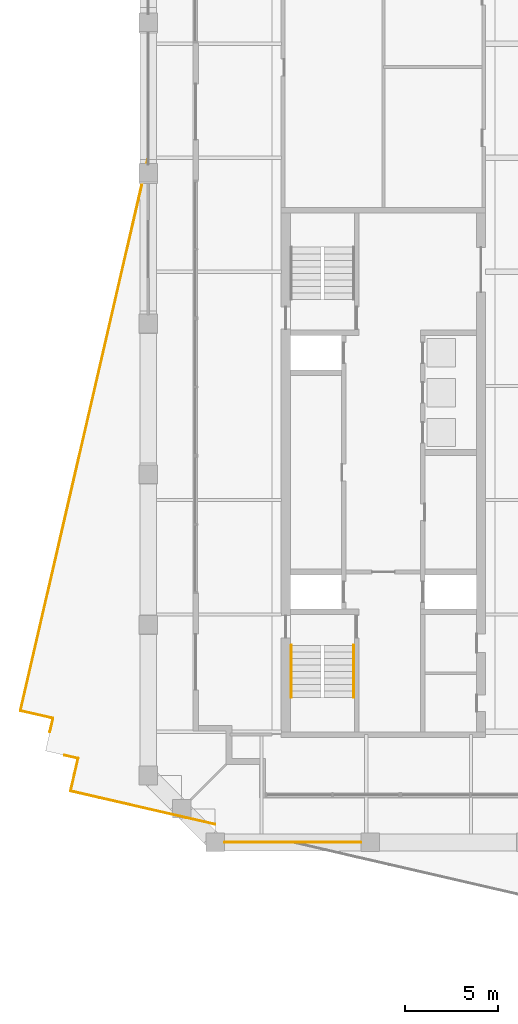
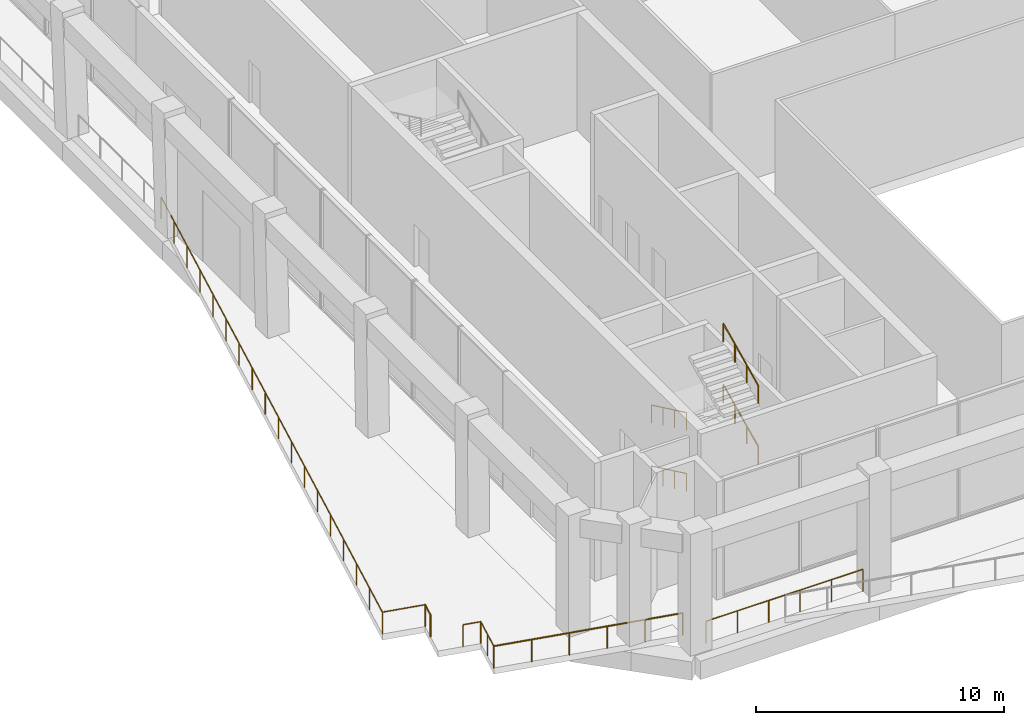
# One storey, part 16 of 20: 11 railings.
"""IFC4 building model written with IfcOpenShell, lengths in metres."""

from ifc_helpers import new_model, si_unit, direction, frame, origin, origin_2d, place, context, subcontext, project, spatial, circle, extrude, material, type_object, element, save


model = new_model("IFC4")

# Units and contexts
model_context = context("Model", 3, precision=1e-05, world=origin(), true_north=direction((0.0, 1.0)))
body_context = subcontext(model_context, "Body", "Model", "MODEL_VIEW")
ifc_project = project(units=[si_unit("LENGTHUNIT", "METRE"), si_unit("AREAUNIT", "SQUARE_METRE"), si_unit("VOLUMEUNIT", "CUBIC_METRE"), si_unit("PLANEANGLEUNIT", "RADIAN"), si_unit("MASSUNIT", "GRAM", prefix="KILO")], contexts=[model_context])

# Site, building, storey
site_placement = place(None, origin())
site = spatial("IfcSite", under=ifc_project, at=site_placement, CompositionType="ELEMENT")
building_placement = place(site_placement, origin())
building = spatial("IfcBuilding", under=site, at=building_placement, Name="Ogive Exchange Tower", CompositionType="ELEMENT")
storey_placement = place(building_placement, frame((0.0, 0.0, 303.0)))
storey = spatial("IfcBuildingStorey", under=building, at=storey_placement, Name="L66", CompositionType="ELEMENT", Elevation=303.0)

# Railings
ifc_material_1 = material(Name="Stainless steel 316", Category="steel")
railing_type_1 = type_object("IfcRailingType", Name="Balustrade 1100 glass and stainless steel", PredefinedType="BALUSTRADE", material=ifc_material_1)
railing_1_placement = place(storey_placement, frame((-32.820556640625, -5.635498046875, 0.0)))
element("IfcRailing", 1, at=railing_1_placement, inside=storey, type_object=railing_type_1, Name="Terrace balustrade 13", PredefinedType="BALUSTRADE", context=body_context, shape_type="SweptSolid", body=[
    extrude(circle(Radius=0.02392578125, at=origin_2d()), frame((0.0, 0.0, 1.076171875), z_axis=(0.225008086135, 0.974356896201, 0.0), x_axis=(-0.974356896201, 0.225008086135, 0.0)), (0.0, 0.0, 1.0), 1.800048828125),
    extrude(circle(Radius=0.02099609375, at=origin_2d()), origin(), (0.0, 0.0, 1.0), 1.052001953125),
    extrude(circle(Radius=0.02099609375, at=origin_2d()), frame((0.20263671875, 0.876953125, 0.0)), (0.0, 0.0, 1.0), 1.052001953125),
    extrude(circle(Radius=0.02099609375, at=origin_2d()), frame((0.405029296875, 1.75390625, 0.0)), (0.0, 0.0, 1.0), 1.052001953125),
])
railing_2_placement = place(storey_placement, frame((-32.41552734375, -3.881591796875, 0.0)))
element("IfcRailing", 2, at=railing_2_placement, inside=storey, type_object=railing_type_1, Name="Terrace balustrade 14", PredefinedType="BALUSTRADE", context=body_context, shape_type="SweptSolid", body=[
    extrude(circle(Radius=0.02392578125, at=origin_2d()), frame((0.0, 0.0, 1.076171875), z_axis=(-0.974424118823, 0.224716792108, 0.0), x_axis=(-0.224716792108, -0.974424118823, 0.0)), (0.0, 0.0, 1.0), 0.749755859375),
    extrude(circle(Radius=0.02099609375, at=origin_2d()), origin(), (0.0, 0.0, 1.0), 1.052001953125),
    extrude(circle(Radius=0.02099609375, at=origin_2d()), frame((-0.73046875, 0.16845703125, 0.0)), (0.0, 0.0, 1.0), 1.052001953125),
])
railing_3_placement = place(storey_placement, frame((-33.933349609375, -2.453857421875, 0.0)))
element("IfcRailing", 3, at=railing_3_placement, inside=storey, type_object=railing_type_1, Name="Terrace balustrade 15", PredefinedType="BALUSTRADE", context=body_context, shape_type="SweptSolid", body=[
    extrude(circle(Radius=0.02392578125, at=origin_2d()), frame((0.0, 0.0, 1.076171875), z_axis=(0.224883275169, 0.974385710358, 0.0), x_axis=(-0.974385710358, 0.224883275169, 0.0)), (0.0, 0.0, 1.0), 0.750244140625),
    extrude(circle(Radius=0.02099609375, at=origin_2d()), origin(), (0.0, 0.0, 1.0), 1.052001953125),
    extrude(circle(Radius=0.02099609375, at=origin_2d()), frame((0.168701171875, 0.73095703125, 0.0)), (0.0, 0.0, 1.0), 1.052001953125),
])
railing_4_placement = place(storey_placement, frame((-33.7646484375, -1.722900390625, 0.0)))
element("IfcRailing", 4, at=railing_4_placement, inside=storey, type_object=railing_type_1, Name="Terrace balustrade 16", PredefinedType="BALUSTRADE", context=body_context, shape_type="SweptSolid", body=[
    extrude(circle(Radius=0.02392578125, at=origin_2d()), frame((0.0, 0.0, 1.076171875), z_axis=(-0.974379763188, 0.224909041816, 0.0), x_axis=(-0.224909041816, -0.974379763188, 0.0)), (0.0, 0.0, 1.0), 1.7998046875),
    extrude(circle(Radius=0.02099609375, at=origin_2d()), origin(), (0.0, 0.0, 1.0), 1.052001953125),
    extrude(circle(Radius=0.02099609375, at=origin_2d()), frame((-1.753662109375, 0.40478515625, 0.0)), (0.0, 0.0, 1.0), 1.052001953125),
])
railing_5_placement = place(storey_placement, frame((-35.518310546875, -1.318115234375, 0.0)))
element("IfcRailing", 5, at=railing_5_placement, inside=storey, type_object=railing_type_1, Name="Terrace balustrade 17", PredefinedType="BALUSTRADE", context=body_context, shape_type="SweptSolid", body=[
    extrude(circle(Radius=0.02392578125, at=origin_2d()), frame((0.0, 0.0, 1.076171875), z_axis=(0.224950021663, 0.974370303198, 0.0), x_axis=(-0.974370303198, 0.224950021663, 0.0)), (0.0, 0.0, 1.0), 30.532958984375),
    extrude(circle(Radius=0.02099609375, at=origin_2d()), origin(), (0.0, 0.0, 1.0), 1.052001953125),
    extrude(circle(Radius=0.02099609375, at=origin_2d()), frame((0.404052734375, 1.75, 0.0)), (0.0, 0.0, 1.0), 1.052001953125),
    extrude(circle(Radius=0.02099609375, at=origin_2d()), frame((0.80810546875, 3.5, 0.0)), (0.0, 0.0, 1.0), 1.052001953125),
    extrude(circle(Radius=0.02099609375, at=origin_2d()), frame((1.212158203125, 5.25, 0.0)), (0.0, 0.0, 1.0), 1.052001953125),
    extrude(circle(Radius=0.02099609375, at=origin_2d()), frame((1.6162109375, 7.0, 0.0)), (0.0, 0.0, 1.0), 1.052001953125),
    extrude(circle(Radius=0.02099609375, at=origin_2d()), frame((2.02001953125, 8.750244140625, 0.0)), (0.0, 0.0, 1.0), 1.052001953125),
    extrude(circle(Radius=0.02099609375, at=origin_2d()), frame((2.424072265625, 10.500244140625, 0.0)), (0.0, 0.0, 1.0), 1.052001953125),
    extrude(circle(Radius=0.02099609375, at=origin_2d()), frame((2.828125, 12.250244140625, 0.0)), (0.0, 0.0, 1.0), 1.052001953125),
    extrude(circle(Radius=0.02099609375, at=origin_2d()), frame((3.232177734375, 14.000244140625, 0.0)), (0.0, 0.0, 1.0), 1.052001953125),
    extrude(circle(Radius=0.02099609375, at=origin_2d()), frame((3.63623046875, 15.750244140625, 0.0)), (0.0, 0.0, 1.0), 1.052001953125),
    extrude(circle(Radius=0.02099609375, at=origin_2d()), frame((4.040283203125, 17.500244140625, 0.0)), (0.0, 0.0, 1.0), 1.052001953125),
    extrude(circle(Radius=0.02099609375, at=origin_2d()), frame((4.4443359375, 19.250244140625, 0.0)), (0.0, 0.0, 1.0), 1.052001953125),
    extrude(circle(Radius=0.02099609375, at=origin_2d()), frame((4.848388671875, 21.000244140625, 0.0)), (0.0, 0.0, 1.0), 1.052001953125),
    extrude(circle(Radius=0.02099609375, at=origin_2d()), frame((5.252197265625, 22.75048828125, 0.0)), (0.0, 0.0, 1.0), 1.052001953125),
    extrude(circle(Radius=0.02099609375, at=origin_2d()), frame((5.65625, 24.50048828125, 0.0)), (0.0, 0.0, 1.0), 1.052001953125),
    extrude(circle(Radius=0.02099609375, at=origin_2d()), frame((6.060302734375, 26.25048828125, 0.0)), (0.0, 0.0, 1.0), 1.052001953125),
    extrude(circle(Radius=0.02099609375, at=origin_2d()), frame((6.46435546875, 28.00048828125, 0.0)), (0.0, 0.0, 1.0), 1.052001953125),
    extrude(circle(Radius=0.02099609375, at=origin_2d()), frame((6.868408203125, 29.75048828125, 0.0)), (0.0, 0.0, 1.0), 1.052001953125),
])
railing_6_placement = place(storey_placement, frame((-25.050048828125, -7.429443359375, 0.0)))
element("IfcRailing", 6, at=railing_6_placement, inside=storey, type_object=railing_type_1, Name="Terrace balustrade 18", PredefinedType="BALUSTRADE", context=body_context, shape_type="SweptSolid", body=[
    extrude(circle(Radius=0.02392578125, at=origin_2d()), frame((0.0, 0.0, 1.076171875), z_axis=(-0.974370553189, 0.224948938822, 0.0), x_axis=(-0.224948938822, -0.974370553189, 0.0)), (0.0, 0.0, 1.0), 7.974853515625),
    extrude(circle(Radius=0.02099609375, at=origin_2d()), origin(), (0.0, 0.0, 1.0), 1.052001953125),
    extrude(circle(Radius=0.02099609375, at=origin_2d()), frame((-1.55419921875, 0.35888671875, 0.0)), (0.0, 0.0, 1.0), 1.052001953125),
    extrude(circle(Radius=0.02099609375, at=origin_2d()), frame((-3.108154296875, 0.717529296875, 0.0)), (0.0, 0.0, 1.0), 1.052001953125),
    extrude(circle(Radius=0.02099609375, at=origin_2d()), frame((-4.662353515625, 1.076416015625, 0.0)), (0.0, 0.0, 1.0), 1.052001953125),
    extrude(circle(Radius=0.02099609375, at=origin_2d()), frame((-6.21630859375, 1.43505859375, 0.0)), (0.0, 0.0, 1.0), 1.052001953125),
    extrude(circle(Radius=0.02099609375, at=origin_2d()), frame((-7.7705078125, 1.7939453125, 0.0)), (0.0, 0.0, 1.0), 1.052001953125),
])
railing_type_2 = type_object("IfcRailingType", Name="Guard 1100 stainless steel and glass", PredefinedType="GUARDRAIL", material=ifc_material_1)
railing_7_placement = place(storey_placement, frame((-24.530029296875, -8.39990234375, 0.0)))
element("IfcRailing", 7, at=railing_7_placement, inside=storey, type_object=railing_type_2, Name="Loggia guard S00", PredefinedType="GUARDRAIL", context=body_context, shape_type="SweptSolid", body=[
    extrude(circle(Radius=0.02392578125, at=origin_2d()), frame((0.0, 0.0, 1.076171875), z_axis=(1.0, 0.0, 0.0), x_axis=(0.0, 1.0, 0.0)), (0.0, 0.0, 1.0), 7.31005859375),
    extrude(circle(Radius=0.02099609375, at=origin_2d()), origin(), (0.0, 0.0, 1.0), 1.052001953125),
    extrude(circle(Radius=0.02099609375, at=origin_2d()), frame((1.4619140625, 0.0, 0.0)), (0.0, 0.0, 1.0), 1.052001953125),
    extrude(circle(Radius=0.02099609375, at=origin_2d()), frame((2.924072265625, 0.0, 0.0)), (0.0, 0.0, 1.0), 1.052001953125),
    extrude(circle(Radius=0.02099609375, at=origin_2d()), frame((4.385986328125, 0.0, 0.0)), (0.0, 0.0, 1.0), 1.052001953125),
    extrude(circle(Radius=0.02099609375, at=origin_2d()), frame((5.84814453125, 0.0, 0.0)), (0.0, 0.0, 1.0), 1.052001953125),
    extrude(circle(Radius=0.02099609375, at=origin_2d()), frame((7.31005859375, 0.0, 0.0)), (0.0, 0.0, 1.0), 1.052001953125),
])
ifc_material_2 = material(Name="Stainless steel", Category="steel")
railing_type_3 = type_object("IfcRailingType", Name="Stair handrail 900", PredefinedType="HANDRAIL", material=ifc_material_2)
railing_8_placement = place(storey_placement, frame((-20.949951171875, 2.199951171875, 0.166748046875)))
element("IfcRailing", 8, at=railing_8_placement, inside=storey, type_object=railing_type_3, Name="L66 ST1 stair handrail 1", PredefinedType="HANDRAIL", context=body_context, shape_type="SweptSolid", body=[
    extrude(circle(Radius=0.02392578125, at=origin_2d()), frame((0.0, 0.0, 0.8759765625), z_axis=(0.0, -0.903337615296, 0.428930242338), x_axis=(1.0, 0.0, 0.0)), (0.0, 0.0, 1.0), 3.1083984375),
    extrude(circle(Radius=0.02099609375, at=origin_2d()), origin(), (0.0, 0.0, 1.0), 0.851806640625),
    extrude(circle(Radius=0.02099609375, at=origin_2d()), frame((0.0, -0.93603515625, 0.4443359375)), (0.0, 0.0, 1.0), 0.851806640625),
    extrude(circle(Radius=0.02099609375, at=origin_2d()), frame((0.0, -1.871826171875, 0.888916015625)), (0.0, 0.0, 1.0), 0.851806640625),
    extrude(circle(Radius=0.02099609375, at=origin_2d()), frame((0.0, -2.807861328125, 1.333251953125)), (0.0, 0.0, 1.0), 0.851806640625),
])
railing_9_placement = place(storey_placement, frame((-17.60009765625, -0.60791015625, 1.666748046875)))
element("IfcRailing", 9, at=railing_9_placement, inside=storey, type_object=railing_type_3, Name="L66 ST1 stair handrail 2", PredefinedType="HANDRAIL", context=body_context, shape_type="SweptSolid", body=[
    extrude(circle(Radius=0.02392578125, at=origin_2d()), frame((0.0, 0.0, 0.8759765625), z_axis=(0.0, 0.903337615296, 0.428930242338), x_axis=(-1.0, 0.0, 0.0)), (0.0, 0.0, 1.0), 3.1083984375),
    extrude(circle(Radius=0.02099609375, at=origin_2d()), origin(), (0.0, 0.0, 1.0), 0.851806640625),
    extrude(circle(Radius=0.02099609375, at=origin_2d()), frame((0.0, 0.93603515625, 0.4443359375)), (0.0, 0.0, 1.0), 0.851806640625),
    extrude(circle(Radius=0.02099609375, at=origin_2d()), frame((0.0, 1.871826171875, 0.888916015625)), (0.0, 0.0, 1.0), 0.851806640625),
    extrude(circle(Radius=0.02099609375, at=origin_2d()), frame((0.0, 2.807861328125, 1.333251953125)), (0.0, 0.0, 1.0), 0.851806640625),
])
railing_10_placement = place(storey_placement, frame((-20.949951171875, 2.199951171875, 3.166748046875)))
element("IfcRailing", 10, at=railing_10_placement, inside=storey, type_object=railing_type_3, Name="L66 ST1 stair handrail 3", PredefinedType="HANDRAIL", context=body_context, shape_type="SweptSolid", body=[
    extrude(circle(Radius=0.02392578125, at=origin_2d()), frame((0.0, 0.0, 0.8759765625), z_axis=(0.0, -0.903337615296, 0.428930242338), x_axis=(1.0, 0.0, 0.0)), (0.0, 0.0, 1.0), 3.1083984375),
    extrude(circle(Radius=0.02099609375, at=origin_2d()), origin(), (0.0, 0.0, 1.0), 0.851806640625),
    extrude(circle(Radius=0.02099609375, at=origin_2d()), frame((0.0, -0.93603515625, 0.4443359375)), (0.0, 0.0, 1.0), 0.851806640625),
    extrude(circle(Radius=0.02099609375, at=origin_2d()), frame((0.0, -1.871826171875, 0.888916015625)), (0.0, 0.0, 1.0), 0.851806640625),
    extrude(circle(Radius=0.02099609375, at=origin_2d()), frame((0.0, -2.807861328125, 1.333251953125)), (0.0, 0.0, 1.0), 0.851806640625),
])
railing_11_placement = place(storey_placement, frame((-17.60009765625, -0.60791015625, 4.666748046875)))
element("IfcRailing", 11, at=railing_11_placement, inside=storey, type_object=railing_type_3, Name="L66 ST1 stair handrail 4", PredefinedType="HANDRAIL", context=body_context, shape_type="SweptSolid", body=[
    extrude(circle(Radius=0.02392578125, at=origin_2d()), frame((0.0, 0.0, 0.8759765625), z_axis=(0.0, 0.903337615296, 0.428930242338), x_axis=(-1.0, 0.0, 0.0)), (0.0, 0.0, 1.0), 3.1083984375),
    extrude(circle(Radius=0.02099609375, at=origin_2d()), origin(), (0.0, 0.0, 1.0), 0.851806640625),
    extrude(circle(Radius=0.02099609375, at=origin_2d()), frame((0.0, 0.93603515625, 0.4443359375)), (0.0, 0.0, 1.0), 0.851806640625),
    extrude(circle(Radius=0.02099609375, at=origin_2d()), frame((0.0, 1.871826171875, 0.888916015625)), (0.0, 0.0, 1.0), 0.851806640625),
    extrude(circle(Radius=0.02099609375, at=origin_2d()), frame((0.0, 2.807861328125, 1.333251953125)), (0.0, 0.0, 1.0), 0.851806640625),
])

save(model, "model.ifc")
